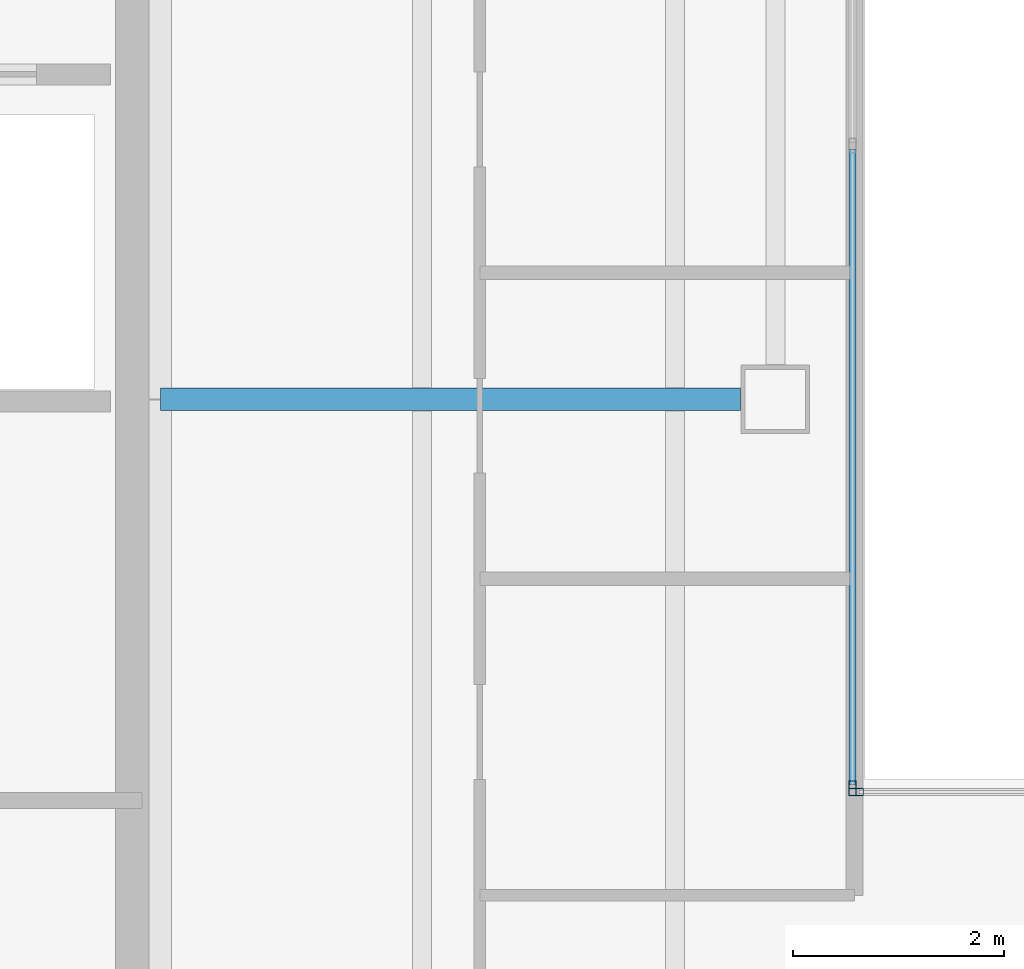
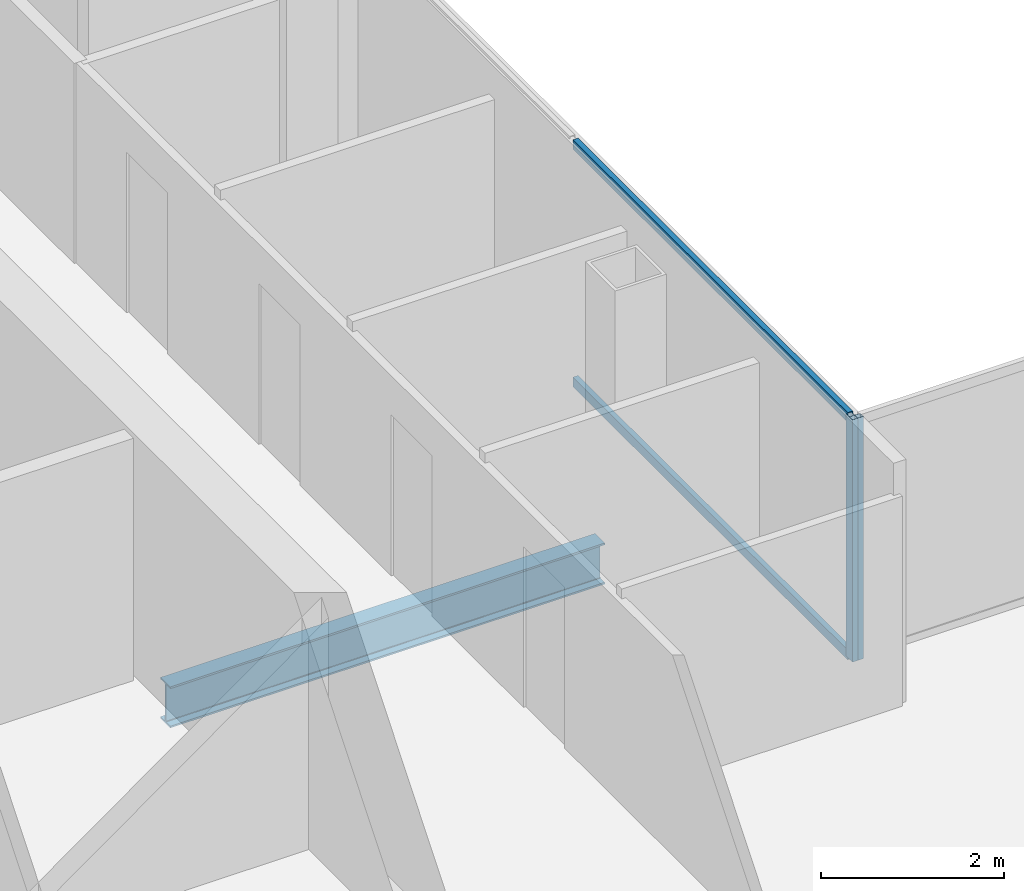
# One storey, part 8 of 23: 4 members, 1 beam, 2 elements without a shape of their own.
"""IFC4 building model written with IfcOpenShell, lengths in metres."""

from ifc_helpers import new_model, si_unit, direction, frame, origin, origin_2d, place, context, subcontext, project, spatial, hollow_rectangle, i_section, extrude, material, material_profile, profile_set, type_object, element, aggregate, save


model = new_model("IFC4")

# Units and contexts
model_context = context("Model", 3, precision=1e-05, world=origin(), true_north=direction((0.0, 1.0)))
body_context = subcontext(model_context, "Body", "Model", "MODEL_VIEW")
ifc_project = project(units=[si_unit("LENGTHUNIT", "METRE"), si_unit("AREAUNIT", "SQUARE_METRE"), si_unit("VOLUMEUNIT", "CUBIC_METRE"), si_unit("PLANEANGLEUNIT", "RADIAN"), si_unit("MASSUNIT", "GRAM", prefix="KILO")], contexts=[model_context])

# Site, building, storey
site_placement = place(None, origin())
site = spatial("IfcSite", under=ifc_project, at=site_placement, CompositionType="ELEMENT")
building_placement = place(site_placement, origin())
building = spatial("IfcBuilding", under=site, at=building_placement, Name="Cobrela Telecom Tower", CompositionType="ELEMENT")
storey_placement = place(building_placement, frame((0.0, 0.0, 255.14990234375)))
storey = spatial("IfcBuildingStorey", under=building, at=storey_placement, Name="L66", CompositionType="ELEMENT", Elevation=255.14990234375)

# Beam
ifc_material_1 = material(Name="Steel ASTM A992 Grade 50", Category="steel")
ifc_material_profile_1 = material_profile(ifc_material_1, i_section(OverallWidth=0.212890625, OverallDepth=0.549072265625, WebThickness=0.0146484375, FlangeThickness=0.023681640625, FilletRadius=0.013916015625, at=origin_2d()), Name="W21X93")
ifc_profile_set_1 = profile_set([ifc_material_profile_1], Name="Steel ASTM A992 Grade 50")
beam_type = type_object("IfcBeamType", Name="BM-GIRD-08", PredefinedType="USERDEFINED", material=ifc_profile_set_1)
beam_placement = place(storey_placement, frame((14.324951171875, 28.800048828125, -0.534423828125), z_axis=(1.0, 0.0, 0.0), x_axis=(0.0, 1.0, 0.0)))
element("IfcBeam", 1, at=beam_placement, inside=storey, type_object=beam_type, Name="L66 Primary Girder X15", ObjectType="GIRDER", PredefinedType="USERDEFINED", context=body_context, shape_type="SweptSolid", body=[
    extrude(i_section(OverallWidth=0.212890625, OverallDepth=0.549072265625, WebThickness=0.0146484375, FlangeThickness=0.023681640625, FilletRadius=0.013916015625, at=origin_2d()), origin(), (0.0, 0.0, 1.0), 5.4951171875),
])

# Curtain wall, member
ifc_material_2 = material(Name="Anodized Bronze Aluminium 6063-T6", Category="aluminium")
curtain_wall_type = type_object("IfcCurtainWallType", Name="CW-SYS-OFF-HI", PredefinedType="USERDEFINED", material=ifc_material_2)
curtain_wall_1_placement = place(storey_placement, origin())
curtain_wall_1 = element("IfcCurtainWall", 2, at=curtain_wall_1_placement, inside=storey, type_object=curtain_wall_type, Name="L66 Unitised Bronze Curtain Wall 08", ObjectType="UNITISED CURTAIN WALL", PredefinedType="USERDEFINED")
ifc_material_profile_2 = material_profile(ifc_material_2, hollow_rectangle(XDim=0.070068359375, YDim=0.139892578125, WallThickness=0.00390625, at=origin_2d()), Name="ALU 70x140x4")
ifc_profile_set_2 = profile_set([ifc_material_profile_2], Name="Anodized Bronze Aluminium 6063-T6")
member_type_1 = type_object("IfcMemberType", Name="CW-SYS-OFF-HI-MUL", PredefinedType="MULLION", material=ifc_profile_set_2)
member_1_placement = place(storey_placement, frame((20.8798828125, 25.114990234375, 0.0), z_axis=(0.0, 0.0, 1.0), x_axis=(1.0, 0.0, 0.0)))
member_1 = element("IfcMember", 3, at=member_1_placement, type_object=member_type_1, Name="CW-OFF-HI mullion 3", PredefinedType="MULLION", context=body_context, shape_type="SweptSolid", body=[
    extrude(hollow_rectangle(XDim=0.070068359375, YDim=0.139892578125, WallThickness=0.00390625, at=origin_2d()), origin(), (0.0, 0.0, 1.0), 3.239990234375),
])

curtain_wall_2_placement = place(storey_placement, origin())
curtain_wall_2 = element("IfcCurtainWall", 4, at=curtain_wall_2_placement, inside=storey, type_object=curtain_wall_type, Name="L66 Unitised Bronze Curtain Wall 09", ObjectType="UNITISED CURTAIN WALL", PredefinedType="USERDEFINED")
member_2_placement = place(storey_placement, frame((20.9150390625, 25.080078125, 0.0), z_axis=(0.0, 0.0, 1.0), x_axis=(0.0, 1.0, 0.0)))
member_2 = element("IfcMember", 5, at=member_2_placement, type_object=member_type_1, Name="CW-OFF-HI mullion 1", PredefinedType="MULLION", context=body_context, shape_type="SweptSolid", body=[
    extrude(hollow_rectangle(XDim=0.070068359375, YDim=0.139892578125, WallThickness=0.00390625, at=origin_2d()), origin(), (0.0, 0.0, 1.0), 3.239990234375),
])
aggregate(curtain_wall_2, [member_2])

# Member
ifc_material_profile_3 = material_profile(ifc_material_2, hollow_rectangle(XDim=0.06494140625, YDim=0.1298828125, WallThickness=0.00390625, at=origin_2d()), Name="ALU 65x130x4")
ifc_profile_set_3 = profile_set([ifc_material_profile_3], Name="Anodized Bronze Aluminium 6063-T6")
member_type_2 = type_object("IfcMemberType", Name="CW-SYS-OFF-HI-TRN", PredefinedType="USERDEFINED", material=ifc_profile_set_3)
member_3_placement = place(storey_placement, frame((20.8798828125, 31.169921875, 0.03271484375), z_axis=(0.0, -1.0, 0.0), x_axis=(1.0, 0.0, 0.0)))
member_3 = element("IfcMember", 6, at=member_3_placement, type_object=member_type_2, Name="CW-OFF-HI transom 2.1", ObjectType="TRANSOM", PredefinedType="USERDEFINED", context=body_context, shape_type="SweptSolid", body=[
    extrude(hollow_rectangle(XDim=0.06494140625, YDim=0.1298828125, WallThickness=0.00390625, at=origin_2d()), origin(), (0.0, 0.0, 1.0), 6.02001953125),
])

member_4_placement = place(storey_placement, frame((20.8798828125, 31.169921875, 3.20751953125), z_axis=(0.0, -1.0, 0.0), x_axis=(1.0, 0.0, 0.0)))
member_4 = element("IfcMember", 7, at=member_4_placement, type_object=member_type_2, Name="CW-OFF-HI transom 2.2", ObjectType="TRANSOM", PredefinedType="USERDEFINED", context=body_context, shape_type="SweptSolid", body=[
    extrude(hollow_rectangle(XDim=0.06494140625, YDim=0.1298828125, WallThickness=0.00390625, at=origin_2d()), origin(), (0.0, 0.0, 1.0), 6.02001953125),
])

aggregate(curtain_wall_1, [member_1, member_3, member_4])

save(model, "model.ifc")
